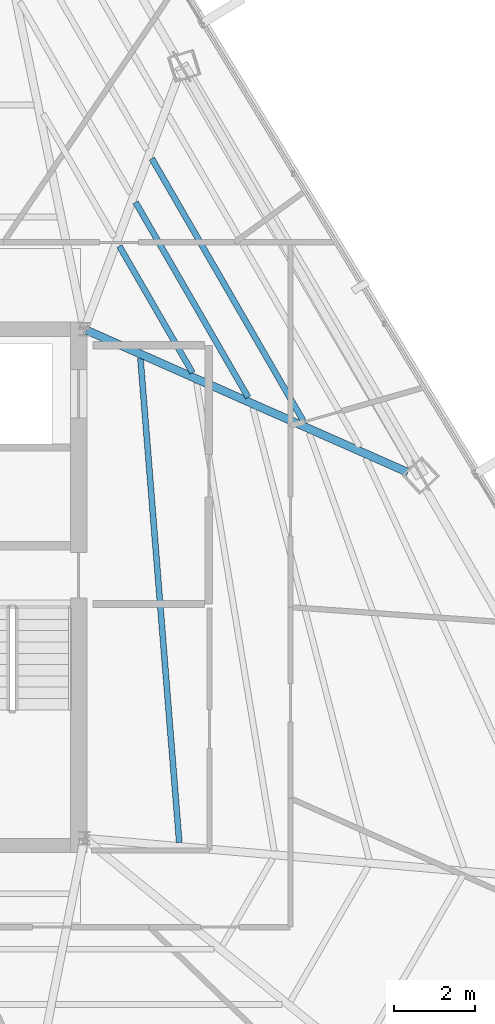
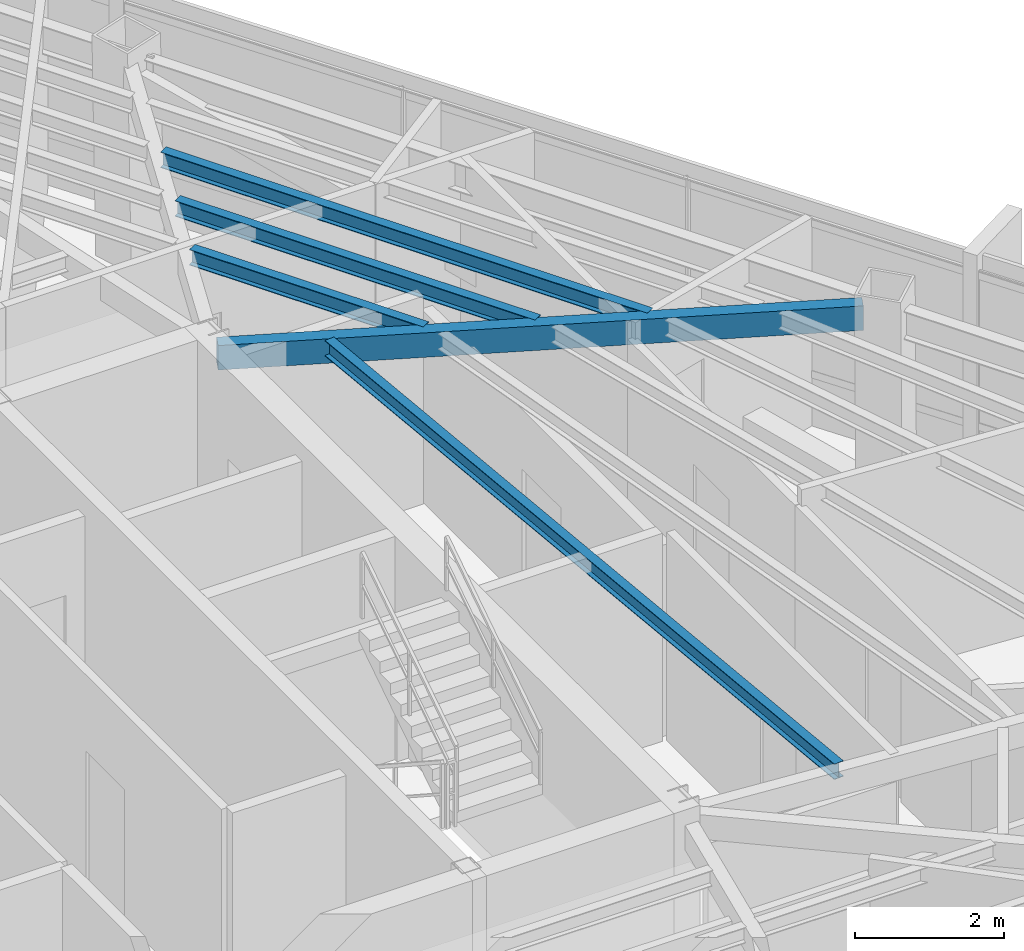
# One storey, part 25 of 42: 5 beams.
"""IFC4 building model written with IfcOpenShell, lengths in metres."""

from ifc_helpers import new_model, si_unit, direction, frame, origin, origin_2d, place, context, subcontext, project, spatial, hollow_rectangle, i_section, extrude, source, transform, mapped, material, material_profile, profile_set, type_object, type_shapes, element, save


model = new_model("IFC4")

# Units and contexts
model_context = context("Model", 3, precision=1e-05, world=origin(), true_north=direction((0.0, 1.0)))
body_context = subcontext(model_context, "Body", "Model", "MODEL_VIEW")
ifc_project = project(units=[si_unit("LENGTHUNIT", "METRE"), si_unit("AREAUNIT", "SQUARE_METRE"), si_unit("VOLUMEUNIT", "CUBIC_METRE"), si_unit("PLANEANGLEUNIT", "RADIAN"), si_unit("MASSUNIT", "GRAM", prefix="KILO")], contexts=[model_context])

# Site, building, storey
site_placement = place(None, origin())
site = spatial("IfcSite", under=ifc_project, at=site_placement, CompositionType="ELEMENT")
building_placement = place(site_placement, origin())
building = spatial("IfcBuilding", under=site, at=building_placement, Name="Caelisora Broadcast Tower", CompositionType="ELEMENT")
storey_placement = place(building_placement, frame((0.0, 0.0, 244.449951171875)))
storey = spatial("IfcBuildingStorey", under=building, at=storey_placement, Name="L64", CompositionType="ELEMENT", Elevation=244.449951171875)

# Beams
ifc_material_1 = material(Name="Steel Grade 350 (AS/NZS 1163 C350L0)", Category="steel")
ifc_material_profile_1 = material_profile(ifc_material_1, hollow_rectangle(XDim=0.199951171875, YDim=0.39990234375, WallThickness=0.012451171875, at=origin_2d()), Name="Steel Grade 350 (AS/NZS 1163 C350L0)")
ifc_profile_set_1 = profile_set([ifc_material_profile_1], Name="Steel Grade 350 (AS/NZS 1163 C350L0)")
beam_type_1 = type_object("IfcBeamType", Name="PG07", PredefinedType="BEAM", material=ifc_profile_set_1)
shared_shape_1 = source(origin(), body_context, "Body", "SweptSolid", [
    extrude(hollow_rectangle(XDim=0.199951171875, YDim=0.39990234375, WallThickness=0.012451171875, at=origin_2d()), origin(), (0.0, 0.0, 1.0), 8.696044921875),
])
type_shapes(beam_type_1, [shared_shape_1])
beam_1_placement = place(storey_placement, frame((45.554931640625, 29.9755859375, 3.199951171875), z_axis=(0.914410262468, -0.404788675599, 0.0), x_axis=(0.404788675599, 0.914410262468, 0.0)))
element("IfcBeam", 1, at=beam_1_placement, inside=storey, type_object=beam_type_1, Name="L64 beam PG07", PredefinedType="BEAM", context=body_context, shape_type="MappedRepresentation", body=[
    mapped(shared_shape_1, transform((0.0, 0.0, 0.0), scale=1.0)),
])
ifc_material_2 = material(Name="Steel Grade 350 (AS/NZS 3679.1)", Category="steel")
ifc_material_profile_2 = material_profile(ifc_material_2, i_section(OverallWidth=0.14599609375, OverallDepth=0.256103515625, WebThickness=0.00634765625, FlangeThickness=0.010986328125, at=origin_2d()), Name="Steel Grade 350 (AS/NZS 3679.1)")
ifc_profile_set_2 = profile_set([ifc_material_profile_2], Name="Steel Grade 350 (AS/NZS 3679.1)")
beam_type_2 = type_object("IfcBeamType", Name="SB04", PredefinedType="JOIST", material=ifc_profile_set_2)
shared_shape_2 = source(origin(), body_context, "Body", "SweptSolid", [
    extrude(i_section(OverallWidth=0.14599609375, OverallDepth=0.256103515625, WebThickness=0.00634765625, FlangeThickness=0.010986328125, at=origin_2d()), origin(), (0.0, 0.0, 1.0), 3.6181640625),
])
beam_2_placement = place(storey_placement, frame((48.176513671875, 28.922607421875, 3.27197265625), z_axis=(-0.500065111903, 0.865987808146, 0.0), x_axis=(-0.865987808146, -0.500065111903, 0.0)))
element("IfcBeam", 2, at=beam_2_placement, inside=storey, type_object=beam_type_2, Name="L64 beam SB04", PredefinedType="JOIST", context=body_context, shape_type="MappedRepresentation", body=[
    mapped(shared_shape_2, transform((0.0, 0.0, 0.0), scale=1.0)),
])
shared_shape_3 = source(origin(), body_context, "Body", "SweptSolid", [
    extrude(i_section(OverallWidth=0.14599609375, OverallDepth=0.256103515625, WebThickness=0.00634765625, FlangeThickness=0.010986328125, at=origin_2d()), origin(), (0.0, 0.0, 1.0), 5.573974609375),
])
beam_3_placement = place(storey_placement, frame((49.55615234375, 28.311767578125, 3.27197265625), z_axis=(-0.499987860876, 0.866032412198, 0.0), x_axis=(-0.866032412198, -0.499987860876, 0.0)))
element("IfcBeam", 3, at=beam_3_placement, inside=storey, type_object=beam_type_2, Name="L64 beam SB04", PredefinedType="JOIST", context=body_context, shape_type="MappedRepresentation", body=[
    mapped(shared_shape_3, transform((0.0, 0.0, 0.0), scale=1.0)),
])
shared_shape_4 = source(origin(), body_context, "Body", "SweptSolid", [
    extrude(i_section(OverallWidth=0.14599609375, OverallDepth=0.256103515625, WebThickness=0.00634765625, FlangeThickness=0.010986328125, at=origin_2d()), origin(), (0.0, 0.0, 1.0), 7.529541015625),
])
beam_4_placement = place(storey_placement, frame((50.93603515625, 27.700927734375, 3.27197265625), z_axis=(-0.500013415291, 0.866017658324, 0.0), x_axis=(-0.866017658324, -0.500013415291, 0.0)))
element("IfcBeam", 4, at=beam_4_placement, inside=storey, type_object=beam_type_2, Name="L64 beam SB04", PredefinedType="JOIST", context=body_context, shape_type="MappedRepresentation", body=[
    mapped(shared_shape_4, transform((0.0, 0.0, 0.0), scale=1.0)),
])
shared_shape_5 = source(origin(), body_context, "Body", "SweptSolid", [
    extrude(i_section(OverallWidth=0.14599609375, OverallDepth=0.256103515625, WebThickness=0.00634765625, FlangeThickness=0.010986328125, at=origin_2d()), origin(), (0.0, 0.0, 1.0), 12.02392578125),
])
type_shapes(beam_type_2, [shared_shape_2, shared_shape_3, shared_shape_4, shared_shape_5])
beam_5_placement = place(storey_placement, frame((47.849853515625, 17.29345703125, 3.27197265625), z_axis=(-0.079939713587, 0.996799700136, 0.0), x_axis=(-0.996799700136, -0.079939713587, 0.0)))
element("IfcBeam", 5, at=beam_5_placement, inside=storey, type_object=beam_type_2, Name="L64 beam SB04", PredefinedType="JOIST", context=body_context, shape_type="MappedRepresentation", body=[
    mapped(shared_shape_5, transform((0.0, 0.0, 0.0), scale=1.0)),
])

save(model, "model.ifc")
